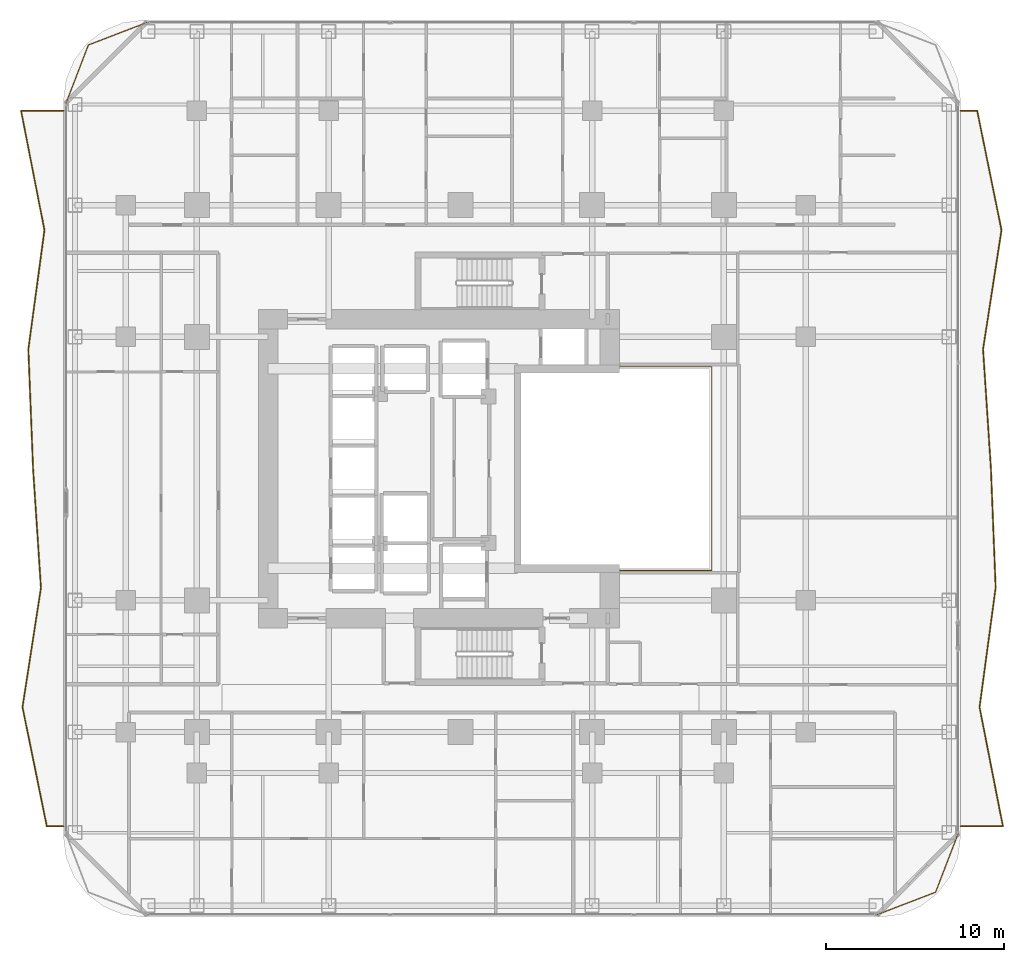
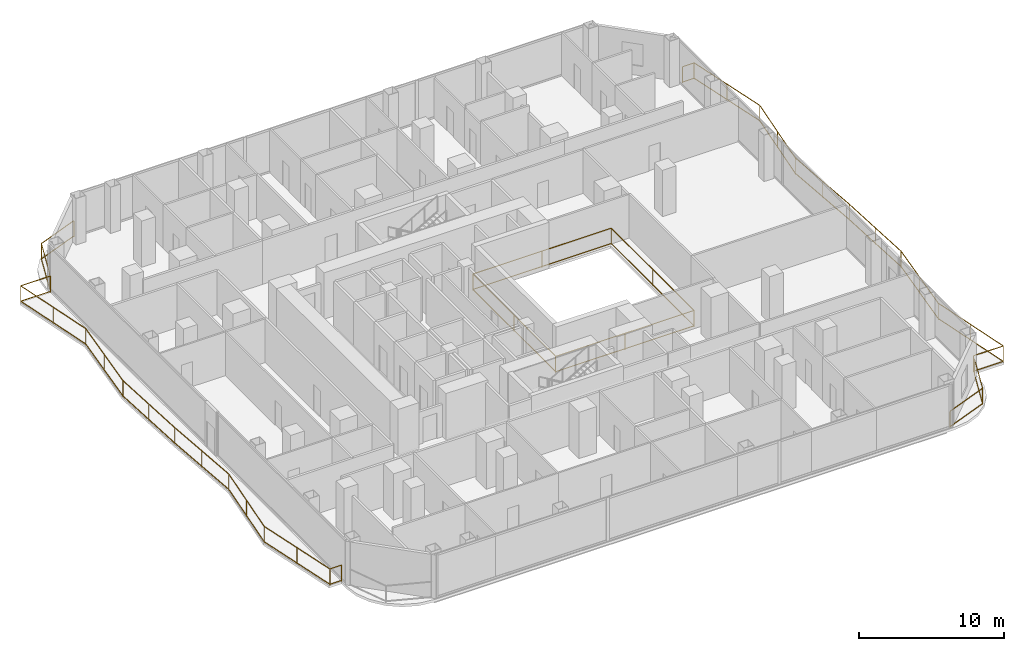
# One storey, part 26 of 27: 5 railings.
"""IFC4 building model written with IfcOpenShell, lengths in metres."""

from ifc_helpers import new_model, si_unit, direction, frame, origin, origin_2d, place, context, subcontext, project, spatial, rectangle, extrude, material, type_object, element, save


model = new_model("IFC4")

# Units and contexts
model_context = context("Model", 3, precision=1e-05, world=origin(), true_north=direction((0.0, 1.0)))
body_context = subcontext(model_context, "Body", "Model", "MODEL_VIEW")
ifc_project = project(units=[si_unit("LENGTHUNIT", "METRE"), si_unit("AREAUNIT", "SQUARE_METRE"), si_unit("VOLUMEUNIT", "CUBIC_METRE"), si_unit("PLANEANGLEUNIT", "RADIAN"), si_unit("MASSUNIT", "GRAM", prefix="KILO")], contexts=[model_context])

# Site, building, storey
site_placement = place(None, origin())
site = spatial("IfcSite", under=ifc_project, at=site_placement, CompositionType="ELEMENT")
building_placement = place(site_placement, origin())
building = spatial("IfcBuilding", under=site, at=building_placement, Name="Khorvyn Point Tower", CompositionType="ELEMENT")
storey_placement = place(building_placement, frame((0.0, 0.0, 42.300048828125)))
storey = spatial("IfcBuildingStorey", under=building, at=storey_placement, Name="L11", CompositionType="ELEMENT", Elevation=42.300048828125)

# Railings
ifc_material_1 = material(Name="Stainless steel 1.4401 and laminated glass", Category="steel")
railing_type_1 = type_object("IfcRailingType", Name="Crystal Atrium Smoke-Rated Perimeter Guardrail 1400", PredefinedType="GUARDRAIL", material=ifc_material_1)
railing_1_placement = place(storey_placement, frame((3.080078125, -5.719970703125, 0.0)))
element("IfcRailing", 1, at=railing_1_placement, inside=storey, type_object=railing_type_1, Name="L11 Crystal Atrium Perimeter Guardrail", PredefinedType="GUARDRAIL", context=body_context, shape_type="SweptSolid", body=[
    extrude(rectangle(XDim=0.048095703125, YDim=0.048095703125, at=origin_2d()), frame((0.0, 0.0, 1.3759765625), z_axis=(1.0, 0.0, 0.0), x_axis=(0.0, 1.0, 0.0)), (0.0, 0.0, 1.0), 11.0400390625),
    extrude(rectangle(XDim=0.048095703125, YDim=0.048095703125, at=origin_2d()), frame((0.0, 0.0, 0.080078125), z_axis=(1.0, 0.0, 0.0), x_axis=(0.0, 1.0, 0.0)), (0.0, 0.0, 1.0), 11.0400390625),
    extrude(rectangle(XDim=0.048095703125, YDim=0.048095703125, at=origin_2d()), frame((11.0400390625, 0.0, 1.3759765625), z_axis=(0.0, 1.0, 0.0), x_axis=(-1.0, 0.0, 0.0)), (0.0, 0.0, 1.0), 11.43994140625),
    extrude(rectangle(XDim=0.048095703125, YDim=0.048095703125, at=origin_2d()), frame((11.0400390625, 0.0, 0.080078125), z_axis=(0.0, 1.0, 0.0), x_axis=(-1.0, 0.0, 0.0)), (0.0, 0.0, 1.0), 11.43994140625),
    extrude(rectangle(XDim=0.048095703125, YDim=0.048095703125, at=origin_2d()), frame((11.0400390625, 11.43994140625, 1.3759765625), z_axis=(-1.0, 0.0, 0.0), x_axis=(0.0, -1.0, 0.0)), (0.0, 0.0, 1.0), 11.0400390625),
    extrude(rectangle(XDim=0.048095703125, YDim=0.048095703125, at=origin_2d()), frame((11.0400390625, 11.43994140625, 0.080078125), z_axis=(-1.0, 0.0, 0.0), x_axis=(0.0, -1.0, 0.0)), (0.0, 0.0, 1.0), 11.0400390625),
    extrude(rectangle(XDim=0.048095703125, YDim=0.048095703125, at=origin_2d()), frame((0.0, 11.43994140625, 1.3759765625), z_axis=(0.0, -1.0, 0.0), x_axis=(1.0, 0.0, 0.0)), (0.0, 0.0, 1.0), 11.409912109375),
    extrude(rectangle(XDim=0.048095703125, YDim=0.048095703125, at=origin_2d()), frame((0.0, 11.43994140625, 0.080078125), z_axis=(0.0, -1.0, 0.0), x_axis=(1.0, 0.0, 0.0)), (0.0, 0.0, 1.0), 11.409912109375),
    extrude(rectangle(XDim=0.0419921875, YDim=0.0419921875, at=origin_2d()), origin(), (0.0, 0.0, 1.0), 1.351806640625),
    extrude(rectangle(XDim=0.0419921875, YDim=0.0419921875, at=origin_2d()), frame((5.52001953125, 0.0, 0.0)), (0.0, 0.0, 1.0), 1.351806640625),
    extrude(rectangle(XDim=0.0419921875, YDim=0.0419921875, at=origin_2d()), frame((11.0400390625, 0.0, 0.0)), (0.0, 0.0, 1.0), 1.351806640625),
    extrude(rectangle(XDim=0.0419921875, YDim=0.0419921875, at=origin_2d()), frame((11.0400390625, 5.719970703125, 0.0)), (0.0, 0.0, 1.0), 1.351806640625),
    extrude(rectangle(XDim=0.0419921875, YDim=0.0419921875, at=origin_2d()), frame((11.0400390625, 11.43994140625, 0.0)), (0.0, 0.0, 1.0), 1.351806640625),
    extrude(rectangle(XDim=0.0419921875, YDim=0.0419921875, at=origin_2d()), frame((5.52001953125, 11.43994140625, 0.0)), (0.0, 0.0, 1.0), 1.351806640625),
    extrude(rectangle(XDim=0.0419921875, YDim=0.0419921875, at=origin_2d()), frame((0.0, 11.43994140625, 0.0)), (0.0, 0.0, 1.0), 1.351806640625),
    extrude(rectangle(XDim=0.0419921875, YDim=0.0419921875, at=origin_2d()), frame((0.0, 5.73486328125, 0.0)), (0.0, 0.0, 1.0), 1.351806640625),
    extrude(rectangle(XDim=0.0419921875, YDim=0.0419921875, at=origin_2d()), frame((0.0, 0.030029296875, 0.0)), (0.0, 0.0, 1.0), 1.351806640625),
])
ifc_material_2 = material(Name="Anodised aluminium 6063-T6 and laminated safety glass", Category="aluminium")
railing_type_2 = type_object("IfcRailingType", Name="Laminated Glass and Aluminium Balcony Guardrail 1400", PredefinedType="BALUSTRADE", material=ifc_material_2)
railing_2_placement = place(storey_placement, frame((-17.57080078125, 25.073974609375, 0.0)))
element("IfcRailing", 2, at=railing_2_placement, inside=storey, type_object=railing_type_2, Name="L11 Rounded Corner Edge Guardrail NW", PredefinedType="BALUSTRADE", context=body_context, shape_type="SweptSolid", body=[
    extrude(rectangle(XDim=0.048095703125, YDim=0.048095703125, at=origin_2d()), frame((0.0, 0.0, 1.3759765625), z_axis=(-0.933583807283, -0.358359142172, 0.0), x_axis=(0.358359142172, -0.933583807283, 0.0)), (0.0, 0.0, 1.0), 3.56298828125),
    extrude(rectangle(XDim=0.048095703125, YDim=0.048095703125, at=origin_2d()), frame((0.0, 0.0, 0.080078125), z_axis=(-0.933583807283, -0.358359142172, 0.0), x_axis=(0.358359142172, -0.933583807283, 0.0)), (0.0, 0.0, 1.0), 3.56298828125),
    extrude(rectangle(XDim=0.048095703125, YDim=0.048095703125, at=origin_2d()), frame((-3.326416015625, -1.27685546875, 1.3759765625), z_axis=(-0.358359142172, -0.933583807283, 0.0), x_axis=(0.933583807283, -0.358359142172, 0.0)), (0.0, 0.0, 1.0), 3.56298828125),
    extrude(rectangle(XDim=0.048095703125, YDim=0.048095703125, at=origin_2d()), frame((-3.326416015625, -1.27685546875, 0.080078125), z_axis=(-0.358359142172, -0.933583807283, 0.0), x_axis=(0.933583807283, -0.358359142172, 0.0)), (0.0, 0.0, 1.0), 3.56298828125),
    extrude(rectangle(XDim=0.0419921875, YDim=0.0419921875, at=origin_2d()), origin(), (0.0, 0.0, 1.0), 1.351806640625),
    extrude(rectangle(XDim=0.0419921875, YDim=0.0419921875, at=origin_2d()), frame((-3.326416015625, -1.27685546875, 0.0)), (0.0, 0.0, 1.0), 1.351806640625),
    extrude(rectangle(XDim=0.0419921875, YDim=0.0419921875, at=origin_2d()), frame((-4.603271484375, -4.603271484375, 0.0)), (0.0, 0.0, 1.0), 1.351806640625),
])
railing_3_placement = place(storey_placement, frame((23.370849609375, -25.073974609375, 0.0)))
element("IfcRailing", 3, at=railing_3_placement, inside=storey, type_object=railing_type_2, Name="L11 Rounded Corner Edge Guardrail SE", PredefinedType="BALUSTRADE", context=body_context, shape_type="SweptSolid", body=[
    extrude(rectangle(XDim=0.048095703125, YDim=0.048095703125, at=origin_2d()), frame((0.0, 0.0, 1.3759765625), z_axis=(0.933575007025, 0.358382067435, 0.0), x_axis=(-0.358382067435, 0.933575007025, 0.0)), (0.0, 0.0, 1.0), 3.562744140625),
    extrude(rectangle(XDim=0.048095703125, YDim=0.048095703125, at=origin_2d()), frame((0.0, 0.0, 0.080078125), z_axis=(0.933575007025, 0.358382067435, 0.0), x_axis=(-0.358382067435, 0.933575007025, 0.0)), (0.0, 0.0, 1.0), 3.562744140625),
    extrude(rectangle(XDim=0.048095703125, YDim=0.048095703125, at=origin_2d()), frame((3.326171875, 1.27685546875, 1.3759765625), z_axis=(0.35841886047, 0.933560882031, 0.0), x_axis=(-0.933560882031, 0.35841886047, 0.0)), (0.0, 0.0, 1.0), 3.563232421875),
    extrude(rectangle(XDim=0.048095703125, YDim=0.048095703125, at=origin_2d()), frame((3.326171875, 1.27685546875, 0.080078125), z_axis=(0.35841886047, 0.933560882031, 0.0), x_axis=(-0.933560882031, 0.35841886047, 0.0)), (0.0, 0.0, 1.0), 3.563232421875),
    extrude(rectangle(XDim=0.0419921875, YDim=0.0419921875, at=origin_2d()), origin(), (0.0, 0.0, 1.0), 1.351806640625),
    extrude(rectangle(XDim=0.0419921875, YDim=0.0419921875, at=origin_2d()), frame((3.326171875, 1.27685546875, 0.0)), (0.0, 0.0, 1.0), 1.351806640625),
    extrude(rectangle(XDim=0.0419921875, YDim=0.0419921875, at=origin_2d()), frame((4.603271484375, 4.603271484375, 0.0)), (0.0, 0.0, 1.0), 1.351806640625),
])
railing_4_placement = place(storey_placement, frame((28.10009765625, -20.10009765625, 0.0)))
element("IfcRailing", 4, at=railing_4_placement, inside=storey, type_object=railing_type_2, Name="L11 East Balcony Guardrail", PredefinedType="BALUSTRADE", context=body_context, shape_type="SweptSolid", body=[
    extrude(rectangle(XDim=0.048095703125, YDim=0.048095703125, at=origin_2d()), frame((0.0, 0.0, 1.3759765625), z_axis=(1.0, 0.0, 0.0), x_axis=(0.0, 1.0, 0.0)), (0.0, 0.0, 1.0), 2.37841796875),
    extrude(rectangle(XDim=0.048095703125, YDim=0.048095703125, at=origin_2d()), frame((0.0, 0.0, 0.080078125), z_axis=(1.0, 0.0, 0.0), x_axis=(0.0, 1.0, 0.0)), (0.0, 0.0, 1.0), 2.37841796875),
    extrude(rectangle(XDim=0.048095703125, YDim=0.048095703125, at=origin_2d()), frame((2.37841796875, 0.0, 1.3759765625), z_axis=(-0.192339516388, 0.981328441673, 0.0), x_axis=(-0.981328441673, -0.192339516388, 0.0)), (0.0, 0.0, 1.0), 6.82763671875),
    extrude(rectangle(XDim=0.048095703125, YDim=0.048095703125, at=origin_2d()), frame((2.37841796875, 0.0, 0.080078125), z_axis=(-0.192339516388, 0.981328441673, 0.0), x_axis=(-0.981328441673, -0.192339516388, 0.0)), (0.0, 0.0, 1.0), 6.82763671875),
    extrude(rectangle(XDim=0.048095703125, YDim=0.048095703125, at=origin_2d()), frame((1.065185546875, 6.7001953125, 1.3759765625), z_axis=(0.133757826576, 0.99101404825, 0.0), x_axis=(-0.99101404825, 0.133757826576, 0.0)), (0.0, 0.0, 1.0), 6.7607421875),
    extrude(rectangle(XDim=0.048095703125, YDim=0.048095703125, at=origin_2d()), frame((1.065185546875, 6.7001953125, 0.080078125), z_axis=(0.133757826576, 0.99101404825, 0.0), x_axis=(-0.99101404825, 0.133757826576, 0.0)), (0.0, 0.0, 1.0), 6.7607421875),
    extrude(rectangle(XDim=0.048095703125, YDim=0.048095703125, at=origin_2d()), frame((1.969482421875, 13.400146484375, 1.3759765625), z_axis=(-0.039469275606, 0.999220784553, 0.0), x_axis=(-0.999220784553, -0.039469275606, 0.0)), (0.0, 0.0, 1.0), 6.705078125),
    extrude(rectangle(XDim=0.048095703125, YDim=0.048095703125, at=origin_2d()), frame((1.969482421875, 13.400146484375, 0.080078125), z_axis=(-0.039469275606, 0.999220784553, 0.0), x_axis=(-0.999220784553, -0.039469275606, 0.0)), (0.0, 0.0, 1.0), 6.705078125),
    extrude(rectangle(XDim=0.048095703125, YDim=0.048095703125, at=origin_2d()), frame((1.704833984375, 20.10009765625, 1.3759765625), z_axis=(-0.06588430605, 0.997827268728, 0.0), x_axis=(-0.997827268728, -0.06588430605, 0.0)), (0.0, 0.0, 1.0), 6.714599609375),
    extrude(rectangle(XDim=0.048095703125, YDim=0.048095703125, at=origin_2d()), frame((1.704833984375, 20.10009765625, 0.080078125), z_axis=(-0.06588430605, 0.997827268728, 0.0), x_axis=(-0.997827268728, -0.06588430605, 0.0)), (0.0, 0.0, 1.0), 6.714599609375),
    extrude(rectangle(XDim=0.048095703125, YDim=0.048095703125, at=origin_2d()), frame((1.262451171875, 26.800048828125, 1.3759765625), z_axis=(0.152901402599, 0.988241448778, 0.0), x_axis=(-0.988241448778, 0.152901402599, 0.0)), (0.0, 0.0, 1.0), 6.77978515625),
    extrude(rectangle(XDim=0.048095703125, YDim=0.048095703125, at=origin_2d()), frame((1.262451171875, 26.800048828125, 0.080078125), z_axis=(0.152901402599, 0.988241448778, 0.0), x_axis=(-0.988241448778, 0.152901402599, 0.0)), (0.0, 0.0, 1.0), 6.77978515625),
    extrude(rectangle(XDim=0.048095703125, YDim=0.048095703125, at=origin_2d()), frame((2.299072265625, 33.5, 1.3759765625), z_axis=(-0.19982920422, 0.97983074515, 0.0), x_axis=(-0.97983074515, -0.19982920422, 0.0)), (0.0, 0.0, 1.0), 6.838134765625),
    extrude(rectangle(XDim=0.048095703125, YDim=0.048095703125, at=origin_2d()), frame((2.299072265625, 33.5, 0.080078125), z_axis=(-0.19982920422, 0.97983074515, 0.0), x_axis=(-0.97983074515, -0.19982920422, 0.0)), (0.0, 0.0, 1.0), 6.838134765625),
    extrude(rectangle(XDim=0.048095703125, YDim=0.048095703125, at=origin_2d()), frame((0.9326171875, 40.2001953125, 1.3759765625), z_axis=(-1.0, 0.0, 0.0), x_axis=(0.0, -1.0, 0.0)), (0.0, 0.0, 1.0), 0.9326171875),
    extrude(rectangle(XDim=0.048095703125, YDim=0.048095703125, at=origin_2d()), frame((0.9326171875, 40.2001953125, 0.080078125), z_axis=(-1.0, 0.0, 0.0), x_axis=(0.0, -1.0, 0.0)), (0.0, 0.0, 1.0), 0.9326171875),
    extrude(rectangle(XDim=0.0419921875, YDim=0.0419921875, at=origin_2d()), origin(), (0.0, 0.0, 1.0), 1.351806640625),
    extrude(rectangle(XDim=0.0419921875, YDim=0.0419921875, at=origin_2d()), frame((2.37841796875, 0.0, 0.0)), (0.0, 0.0, 1.0), 1.351806640625),
    extrude(rectangle(XDim=0.0419921875, YDim=0.0419921875, at=origin_2d()), frame((1.7216796875, 3.35009765625, 0.0)), (0.0, 0.0, 1.0), 1.351806640625),
    extrude(rectangle(XDim=0.0419921875, YDim=0.0419921875, at=origin_2d()), frame((1.065185546875, 6.7001953125, 0.0)), (0.0, 0.0, 1.0), 1.351806640625),
    extrude(rectangle(XDim=0.0419921875, YDim=0.0419921875, at=origin_2d()), frame((1.517333984375, 10.05029296875, 0.0)), (0.0, 0.0, 1.0), 1.351806640625),
    extrude(rectangle(XDim=0.0419921875, YDim=0.0419921875, at=origin_2d()), frame((1.969482421875, 13.400146484375, 0.0)), (0.0, 0.0, 1.0), 1.351806640625),
    extrude(rectangle(XDim=0.0419921875, YDim=0.0419921875, at=origin_2d()), frame((1.837158203125, 16.75, 0.0)), (0.0, 0.0, 1.0), 1.351806640625),
    extrude(rectangle(XDim=0.0419921875, YDim=0.0419921875, at=origin_2d()), frame((1.704833984375, 20.10009765625, 0.0)), (0.0, 0.0, 1.0), 1.351806640625),
    extrude(rectangle(XDim=0.0419921875, YDim=0.0419921875, at=origin_2d()), frame((1.483642578125, 23.4501953125, 0.0)), (0.0, 0.0, 1.0), 1.351806640625),
    extrude(rectangle(XDim=0.0419921875, YDim=0.0419921875, at=origin_2d()), frame((1.262451171875, 26.800048828125, 0.0)), (0.0, 0.0, 1.0), 1.351806640625),
    extrude(rectangle(XDim=0.0419921875, YDim=0.0419921875, at=origin_2d()), frame((1.78076171875, 30.14990234375, 0.0)), (0.0, 0.0, 1.0), 1.351806640625),
    extrude(rectangle(XDim=0.0419921875, YDim=0.0419921875, at=origin_2d()), frame((2.299072265625, 33.5, 0.0)), (0.0, 0.0, 1.0), 1.351806640625),
    extrude(rectangle(XDim=0.0419921875, YDim=0.0419921875, at=origin_2d()), frame((1.61572265625, 36.85009765625, 0.0)), (0.0, 0.0, 1.0), 1.351806640625),
    extrude(rectangle(XDim=0.0419921875, YDim=0.0419921875, at=origin_2d()), frame((0.9326171875, 40.2001953125, 0.0)), (0.0, 0.0, 1.0), 1.351806640625),
    extrude(rectangle(XDim=0.0419921875, YDim=0.0419921875, at=origin_2d()), frame((0.0, 40.2001953125, 0.0)), (0.0, 0.0, 1.0), 1.351806640625),
])
railing_5_placement = place(storey_placement, frame((-22.300048828125, 20.10009765625, 0.0)))
element("IfcRailing", 5, at=railing_5_placement, inside=storey, type_object=railing_type_2, Name="L11 West Balcony Guardrail", PredefinedType="BALUSTRADE", context=body_context, shape_type="SweptSolid", body=[
    extrude(rectangle(XDim=0.048095703125, YDim=0.048095703125, at=origin_2d()), frame((0.0, 0.0, 1.3759765625), z_axis=(-1.0, 0.0, 0.0), x_axis=(0.0, -1.0, 0.0)), (0.0, 0.0, 1.0), 2.37841796875),
    extrude(rectangle(XDim=0.048095703125, YDim=0.048095703125, at=origin_2d()), frame((0.0, 0.0, 0.080078125), z_axis=(-1.0, 0.0, 0.0), x_axis=(0.0, -1.0, 0.0)), (0.0, 0.0, 1.0), 2.37841796875),
    extrude(rectangle(XDim=0.048095703125, YDim=0.048095703125, at=origin_2d()), frame((-2.37841796875, 0.0, 1.3759765625), z_axis=(0.192305081377, -0.981335190277, 0.0), x_axis=(0.981335190277, 0.192305081377, 0.0)), (0.0, 0.0, 1.0), 6.82763671875),
    extrude(rectangle(XDim=0.048095703125, YDim=0.048095703125, at=origin_2d()), frame((-2.37841796875, 0.0, 0.080078125), z_axis=(0.192305081377, -0.981335190277, 0.0), x_axis=(0.981335190277, 0.192305081377, 0.0)), (0.0, 0.0, 1.0), 6.82763671875),
    extrude(rectangle(XDim=0.048095703125, YDim=0.048095703125, at=origin_2d()), frame((-1.0654296875, -6.7001953125, 1.3759765625), z_axis=(-0.133722360675, -0.991018834461, 0.0), x_axis=(0.991018834461, -0.133722360675, 0.0)), (0.0, 0.0, 1.0), 6.7607421875),
    extrude(rectangle(XDim=0.048095703125, YDim=0.048095703125, at=origin_2d()), frame((-1.0654296875, -6.7001953125, 0.080078125), z_axis=(-0.133722360675, -0.991018834461, 0.0), x_axis=(0.991018834461, -0.133722360675, 0.0)), (0.0, 0.0, 1.0), 6.7607421875),
    extrude(rectangle(XDim=0.048095703125, YDim=0.048095703125, at=origin_2d()), frame((-1.969482421875, -13.400146484375, 1.3759765625), z_axis=(0.039469275606, -0.999220784553, 0.0), x_axis=(0.999220784553, 0.039469275606, 0.0)), (0.0, 0.0, 1.0), 6.705078125),
    extrude(rectangle(XDim=0.048095703125, YDim=0.048095703125, at=origin_2d()), frame((-1.969482421875, -13.400146484375, 0.080078125), z_axis=(0.039469275606, -0.999220784553, 0.0), x_axis=(0.999220784553, 0.039469275606, 0.0)), (0.0, 0.0, 1.0), 6.705078125),
    extrude(rectangle(XDim=0.048095703125, YDim=0.048095703125, at=origin_2d()), frame((-1.704833984375, -20.10009765625, 1.3759765625), z_axis=(0.06588430605, -0.997827268728, 0.0), x_axis=(0.997827268728, 0.06588430605, 0.0)), (0.0, 0.0, 1.0), 6.714599609375),
    extrude(rectangle(XDim=0.048095703125, YDim=0.048095703125, at=origin_2d()), frame((-1.704833984375, -20.10009765625, 0.080078125), z_axis=(0.06588430605, -0.997827268728, 0.0), x_axis=(0.997827268728, 0.06588430605, 0.0)), (0.0, 0.0, 1.0), 6.714599609375),
    extrude(rectangle(XDim=0.048095703125, YDim=0.048095703125, at=origin_2d()), frame((-1.262451171875, -26.800048828125, 1.3759765625), z_axis=(-0.152901402599, -0.988241448778, 0.0), x_axis=(0.988241448778, -0.152901402599, 0.0)), (0.0, 0.0, 1.0), 6.77978515625),
    extrude(rectangle(XDim=0.048095703125, YDim=0.048095703125, at=origin_2d()), frame((-1.262451171875, -26.800048828125, 0.080078125), z_axis=(-0.152901402599, -0.988241448778, 0.0), x_axis=(0.988241448778, -0.152901402599, 0.0)), (0.0, 0.0, 1.0), 6.77978515625),
    extrude(rectangle(XDim=0.048095703125, YDim=0.048095703125, at=origin_2d()), frame((-2.299072265625, -33.5, 1.3759765625), z_axis=(0.19982920422, -0.97983074515, 0.0), x_axis=(0.97983074515, 0.19982920422, 0.0)), (0.0, 0.0, 1.0), 6.838134765625),
    extrude(rectangle(XDim=0.048095703125, YDim=0.048095703125, at=origin_2d()), frame((-2.299072265625, -33.5, 0.080078125), z_axis=(0.19982920422, -0.97983074515, 0.0), x_axis=(0.97983074515, 0.19982920422, 0.0)), (0.0, 0.0, 1.0), 6.838134765625),
    extrude(rectangle(XDim=0.048095703125, YDim=0.048095703125, at=origin_2d()), frame((-0.9326171875, -40.2001953125, 1.3759765625), z_axis=(1.0, 0.0, 0.0), x_axis=(0.0, 1.0, 0.0)), (0.0, 0.0, 1.0), 0.9326171875),
    extrude(rectangle(XDim=0.048095703125, YDim=0.048095703125, at=origin_2d()), frame((-0.9326171875, -40.2001953125, 0.080078125), z_axis=(1.0, 0.0, 0.0), x_axis=(0.0, 1.0, 0.0)), (0.0, 0.0, 1.0), 0.9326171875),
    extrude(rectangle(XDim=0.0419921875, YDim=0.0419921875, at=origin_2d()), origin(), (0.0, 0.0, 1.0), 1.351806640625),
    extrude(rectangle(XDim=0.0419921875, YDim=0.0419921875, at=origin_2d()), frame((-2.37841796875, 0.0, 0.0)), (0.0, 0.0, 1.0), 1.351806640625),
    extrude(rectangle(XDim=0.0419921875, YDim=0.0419921875, at=origin_2d()), frame((-1.721923828125, -3.35009765625, 0.0)), (0.0, 0.0, 1.0), 1.351806640625),
    extrude(rectangle(XDim=0.0419921875, YDim=0.0419921875, at=origin_2d()), frame((-1.0654296875, -6.7001953125, 0.0)), (0.0, 0.0, 1.0), 1.351806640625),
    extrude(rectangle(XDim=0.0419921875, YDim=0.0419921875, at=origin_2d()), frame((-1.517578125, -10.05029296875, 0.0)), (0.0, 0.0, 1.0), 1.351806640625),
    extrude(rectangle(XDim=0.0419921875, YDim=0.0419921875, at=origin_2d()), frame((-1.969482421875, -13.400146484375, 0.0)), (0.0, 0.0, 1.0), 1.351806640625),
    extrude(rectangle(XDim=0.0419921875, YDim=0.0419921875, at=origin_2d()), frame((-1.837158203125, -16.75, 0.0)), (0.0, 0.0, 1.0), 1.351806640625),
    extrude(rectangle(XDim=0.0419921875, YDim=0.0419921875, at=origin_2d()), frame((-1.704833984375, -20.10009765625, 0.0)), (0.0, 0.0, 1.0), 1.351806640625),
    extrude(rectangle(XDim=0.0419921875, YDim=0.0419921875, at=origin_2d()), frame((-1.483642578125, -23.4501953125, 0.0)), (0.0, 0.0, 1.0), 1.351806640625),
    extrude(rectangle(XDim=0.0419921875, YDim=0.0419921875, at=origin_2d()), frame((-1.262451171875, -26.800048828125, 0.0)), (0.0, 0.0, 1.0), 1.351806640625),
    extrude(rectangle(XDim=0.0419921875, YDim=0.0419921875, at=origin_2d()), frame((-1.78076171875, -30.14990234375, 0.0)), (0.0, 0.0, 1.0), 1.351806640625),
    extrude(rectangle(XDim=0.0419921875, YDim=0.0419921875, at=origin_2d()), frame((-2.299072265625, -33.5, 0.0)), (0.0, 0.0, 1.0), 1.351806640625),
    extrude(rectangle(XDim=0.0419921875, YDim=0.0419921875, at=origin_2d()), frame((-1.61572265625, -36.85009765625, 0.0)), (0.0, 0.0, 1.0), 1.351806640625),
    extrude(rectangle(XDim=0.0419921875, YDim=0.0419921875, at=origin_2d()), frame((-0.9326171875, -40.2001953125, 0.0)), (0.0, 0.0, 1.0), 1.351806640625),
    extrude(rectangle(XDim=0.0419921875, YDim=0.0419921875, at=origin_2d()), frame((0.0, -40.2001953125, 0.0)), (0.0, 0.0, 1.0), 1.351806640625),
])

save(model, "model.ifc")
